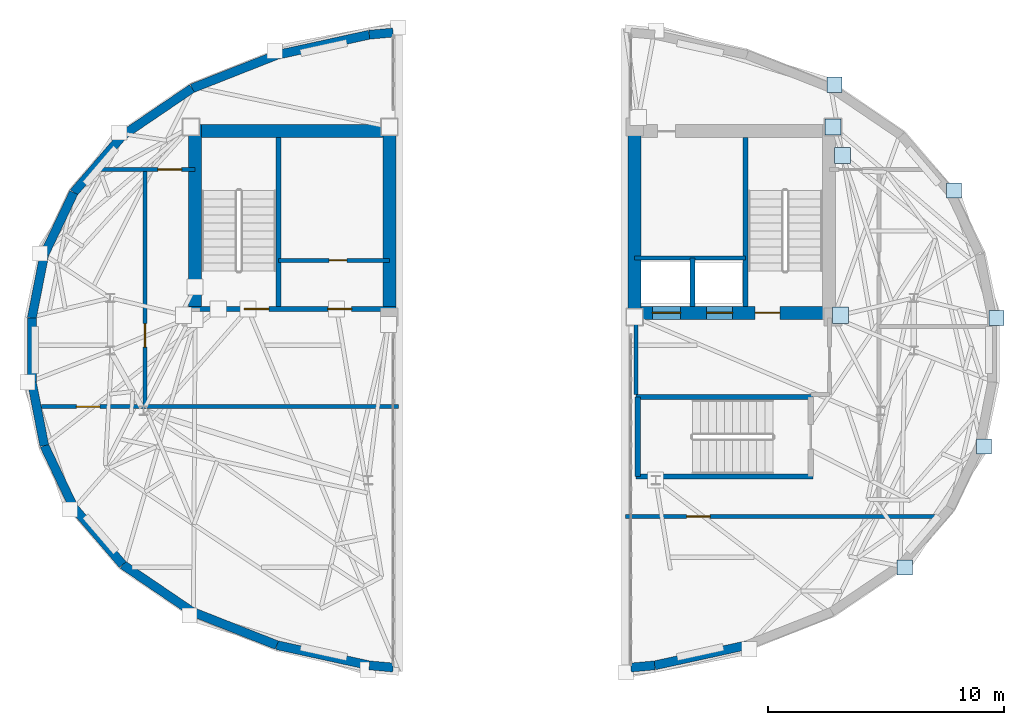
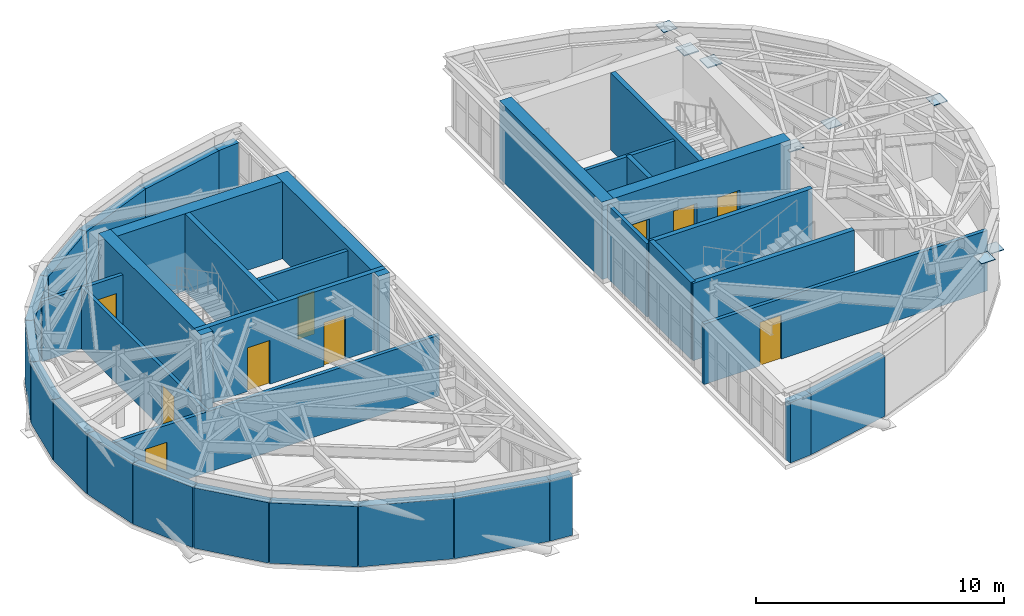
# One storey, part 9 of 13: 36 walls, 10 doors, 8 plates, 10 openings.
"""IFC4 building model written with IfcOpenShell, lengths in metres."""

import ifcopenshell
import ifcopenshell.guid

model = None  # the IFC model being written
_history = None  # IfcOwnerHistory: only IFC2X3 demands one
_inside = {}  # id of a spatial element -> (the spatial element, [elements in it])
_under = {}  # id of a project, library or spatial element -> (it, [spatial elements below it])
_declared = {}  # id of a project -> (the project, [libraries it declares])
_typed = {}  # id of a type object -> (the type object, [elements of that type])
_made_of = {}  # id of a material, layer set ... -> (it, [elements and type objects made of it])


def new_model(schema):
    """Start an empty IFC model of exactly this schema.

    Asked for "IFC4X3", IfcOpenShell would pick the latest addendum, in which some entities
    have other attributes; the version numbers below select the first issue.
    IFC2X3 requires an IfcOwnerHistory on every rooted entity: one is made here for all.
    """
    global model, _history
    if schema == "IFC4X3":
        model = ifcopenshell.file(schema_version=(4, 3, 0, 0))
    else:
        model = ifcopenshell.file(schema=schema)
    _inside.clear()
    _under.clear()
    _declared.clear()
    _typed.clear()
    _made_of.clear()
    _history = None
    if model.schema == "IFC2X3":
        org = make("IfcOrganization", Name="unknown")
        user = make(
            "IfcPersonAndOrganization",
            ThePerson=make("IfcPerson", FamilyName="unknown"),
            TheOrganization=org,
        )
        app = make(
            "IfcApplication",
            ApplicationDeveloper=org,
            Version="unknown",
            ApplicationFullName="unknown",
            ApplicationIdentifier="unknown",
        )
        _history = make(
            "IfcOwnerHistory",
            OwningUser=user,
            OwningApplication=app,
            ChangeAction="ADDED",
            CreationDate=0,
        )
    return model


def make(cls, **values):
    """One entity of the class cls with the attributes given. An attribute that is None is left unset."""
    return model.create_entity(
        cls, **{name: value for name, value in values.items() if value is not None}
    )


def rooted(cls, **values):
    """An entity with a GlobalId (a new one), such as an element, a storey or a relation."""
    return make(cls, GlobalId=ifcopenshell.guid.new(), OwnerHistory=_history, **values)


def si_unit(unit_type, name, prefix=None):
    """IfcSIUnit, for example si_unit("LENGTHUNIT", "METRE", prefix="MILLI")."""
    return make("IfcSIUnit", UnitType=unit_type, Prefix=prefix, Name=name)


def assignment(units):
    """IfcUnitAssignment: the units of a project."""
    return None if units is None else make("IfcUnitAssignment", Units=units)


def point(xyz):
    """IfcCartesianPoint."""
    return None if xyz is None else make("IfcCartesianPoint", Coordinates=xyz)


def direction(xyz):
    """IfcDirection."""
    return None if xyz is None else make("IfcDirection", DirectionRatios=xyz)


def frame(location, z_axis=None, x_axis=None):
    """IfcAxis2Placement3D, a coordinate frame: its origin and axes. An axis left out is left unset."""
    return make(
        "IfcAxis2Placement3D",
        Location=point(location),
        Axis=direction(z_axis),
        RefDirection=direction(x_axis),
    )


def frame_2d(location, x_axis=None):
    """IfcAxis2Placement2D, a coordinate frame in the plane: its origin and x axis."""
    return make(
        "IfcAxis2Placement2D", Location=point(location), RefDirection=direction(x_axis)
    )


def origin():
    """The frame at (0, 0, 0) with its axes left unset."""
    return frame((0.0, 0.0, 0.0))


def origin_2d():
    """The frame at (0, 0) in the plane with its x axis left unset."""
    return frame_2d((0.0, 0.0))


def place(relative_to, where):
    """IfcLocalPlacement: puts the frame where relative to a parent placement (None: the world)."""
    return make(
        "IfcLocalPlacement", PlacementRelTo=relative_to, RelativePlacement=where
    )


def context(
    kind, dimensions, precision=None, world=None, true_north=None, identifier=None
):
    """IfcGeometricRepresentationContext, for example the 3D "Model" context."""
    return make(
        "IfcGeometricRepresentationContext",
        ContextIdentifier=identifier,
        ContextType=kind,
        CoordinateSpaceDimension=dimensions,
        Precision=precision,
        WorldCoordinateSystem=world,
        TrueNorth=true_north,
    )


def subcontext(parent, identifier, kind, view, scale=None):
    """IfcGeometricRepresentationSubContext, for example "Body" below "Model"."""
    return make(
        "IfcGeometricRepresentationSubContext",
        ContextIdentifier=identifier,
        ContextType=kind,
        ParentContext=parent,
        TargetScale=scale,
        TargetView=view,
    )


def project(units=None, contexts=None):
    """IfcProject with its units and contexts."""
    return rooted(
        "IfcProject",
        Name="project",
        RepresentationContexts=contexts,
        UnitsInContext=assignment(units),
    )


def spatial(cls, under=None, at=None, **own):
    """A site, building, storey or space (cls), placed at a placement, below another one or the project."""
    s = rooted(cls, ObjectPlacement=at, **own)
    if under is not None:
        _under.setdefault(under.id(), (under, []))[1].append(s)
    return s


def profile(cls, at=None, kind="AREA", **sizes):
    """A parametric profile (cls). Its sizes go by their IFC names, for example OverallWidth=200.0."""
    return make(cls, ProfileType=kind, Position=at, **sizes)


def rectangle(**sizes):
    """IfcRectangleProfileDef."""
    return profile("IfcRectangleProfileDef", **sizes)


def extrude(swept, where, along, depth):
    """IfcExtrudedAreaSolid: the profile swept, set in the frame where, extruded along a direction by depth."""
    return make(
        "IfcExtrudedAreaSolid",
        SweptArea=swept,
        Position=where,
        ExtrudedDirection=direction(along),
        Depth=depth,
    )


def shape(context_of_items, identifier, shape_type, items):
    """IfcShapeRepresentation: the items that make up one representation, for example the "Body"."""
    return make(
        "IfcShapeRepresentation",
        ContextOfItems=context_of_items,
        RepresentationIdentifier=identifier,
        RepresentationType=shape_type,
        Items=items,
    )


def material(Name=None, Category=None):
    """IfcMaterial."""
    return make("IfcMaterial", Name=Name, Category=Category)


def layer(
    of_material, thickness, ventilated=None, Name=None, Category=None, Priority=None
):
    """IfcMaterialLayer: one layer of a wall or slab, of a material (None: an air gap)."""
    return make(
        "IfcMaterialLayer",
        Material=of_material,
        LayerThickness=thickness,
        IsVentilated=ventilated,
        Name=Name,
        Category=Category,
        Priority=Priority,
    )


def layer_set(layers, Name=None):
    """IfcMaterialLayerSet."""
    return make("IfcMaterialLayerSet", MaterialLayers=layers, LayerSetName=Name)


def made_of(thing, what):
    """Note that an element or type object is made of a material, layer set ...; save() writes the relation."""
    if what is not None:
        _made_of.setdefault(what.id(), (what, []))[1].append(thing)
    return thing


def type_object(cls, material=None, **own):
    """A type object (cls), such as IfcWallType, which elements share."""
    return made_of(rooted(cls, **own), material)


def element(
    cls,
    number,
    at=None,
    inside=None,
    cuts=None,
    type_object=None,
    material=None,
    context=None,
    identifier="Body",
    shape_type=None,
    held_by="IfcProductDefinitionShape",
    body=None,
    shapes=None,
    **own,
):
    """One element of the class cls, such as IfcWall. Its Tag is "e" and its number.

    at: its placement. inside: the storey or other place that contains it. cuts: it is an
    opening in that element (IfcRelVoidsElement). A single representation is given by context,
    identifier, shape_type and body (its items); several are given by shapes. held_by: the class
    of the entity that holds the representations. save() writes the other relations.
    """
    e = rooted(cls, Tag="e%d" % number, ObjectPlacement=at, **own)
    if body is not None:
        shapes = [shape(context, identifier, shape_type, body)]
    if shapes is not None:
        e.Representation = make(held_by, Representations=shapes)
    if inside is not None:
        _inside.setdefault(inside.id(), (inside, []))[1].append(e)
    if cuts is not None:
        rooted(
            "IfcRelVoidsElement", RelatingBuildingElement=cuts, RelatedOpeningElement=e
        )
    if type_object is not None:
        _typed.setdefault(type_object.id(), (type_object, []))[1].append(e)
    return made_of(e, material)


def fill(opening, filler):
    """IfcRelFillsElement: the door or window that sits in an opening."""
    return rooted(
        "IfcRelFillsElement",
        RelatingOpeningElement=opening,
        RelatedBuildingElement=filler,
    )


def aggregate(whole, parts):
    """IfcRelAggregates: a whole, such as a stair, and the parts it consists of."""
    return rooted("IfcRelAggregates", RelatingObject=whole, RelatedObjects=parts)


def save(model, path):
    """Write the relations noted so far, then the file.

    IfcRelAggregates (storeys below a building ...), IfcRelContainedInSpatialStructure (elements
    in a storey), IfcRelDefinesByType, IfcRelAssociatesMaterial and IfcRelDeclares: one each for
    every whole, place, type object, material and project.
    """
    for whole, parts in _under.values():
        aggregate(whole, parts)
    for where, things in _inside.values():
        rooted(
            "IfcRelContainedInSpatialStructure",
            RelatedElements=things,
            RelatingStructure=where,
        )
    for kind, things in _typed.values():
        rooted("IfcRelDefinesByType", RelatedObjects=things, RelatingType=kind)
    for what, things in _made_of.values():
        rooted("IfcRelAssociatesMaterial", RelatedObjects=things, RelatingMaterial=what)
    for by, libraries in _declared.values():
        rooted("IfcRelDeclares", RelatingContext=by, RelatedDefinitions=libraries)
    model.write(path)


model = new_model("IFC4")

# Units and contexts
model_context = context("Model", 3, precision=1e-05, world=origin(), true_north=direction((0.0, 1.0)))
body_context = subcontext(model_context, "Body", "Model", "MODEL_VIEW")
ifc_project = project(units=[si_unit("LENGTHUNIT", "METRE"), si_unit("AREAUNIT", "SQUARE_METRE"), si_unit("VOLUMEUNIT", "CUBIC_METRE"), si_unit("PLANEANGLEUNIT", "RADIAN"), si_unit("MASSUNIT", "GRAM", prefix="KILO")], contexts=[model_context])

# Site, building, storey
site_placement = place(None, origin())
site = spatial("IfcSite", under=ifc_project, at=site_placement, CompositionType="ELEMENT")
building_placement = place(site_placement, origin())
building = spatial("IfcBuilding", under=site, at=building_placement, Name="Keldmark Tower", CompositionType="ELEMENT")
storey_placement = place(building_placement, frame((0.0, 0.0, 273.0)))
storey = spatial("IfcBuildingStorey", under=building, at=storey_placement, Name="L77", CompositionType="ELEMENT", Elevation=273.0)

# Plates
ifc_material_1 = material(Name="Steel ASTM A572 Grade 50", Category="steel")
ifc_layer_1 = layer(ifc_material_1, 0.06005859375)
ifc_layer_set_1 = layer_set([ifc_layer_1], Name="Steel ASTM A572 Grade 50")
plate_type_1 = type_object("IfcPlateType", Name="Belt Truss Kink Node Assembly KN01 60 mm", PredefinedType="USERDEFINED", material=ifc_layer_set_1)
for number, where, z_axis, x_axis, name in (
    (1, (13.91162109375, 1.473388671875, 3.30810546875), (0.0, 0.0, 1.0), (1.0, 0.0, 0.0), "L77 Core Wall Cast-In Embed Plate 2202"),
    (2, (13.60009765625, 9.449951171875, 3.30810546875), (0.0, 0.0, 1.0), (1.0, 0.0, 0.0), "L77 Core Wall Cast-In Embed Plate 2206"),
    (3, (14.006103515625, 8.240478515625, 3.30810546875), (0.0, 0.0, 1.0), (1.0, 0.0, 0.0), "L77 Core Wall Cast-In Embed Plate 2207"),
):
    element("IfcPlate", number, at=place(storey_placement, frame(where, z_axis=z_axis, x_axis=x_axis)), inside=storey, type_object=plate_type_1, Name=name, ObjectType="CAP PLATE", PredefinedType="USERDEFINED", context=body_context, shape_type="SweptSolid", body=[
        extrude(rectangle(XDim=0.679931640625, YDim=0.679931640625, at=origin_2d()), origin(), (0.0, 0.0, 1.0), 0.054931640625),
    ])
ifc_material_2 = material(Name="Steel ASTM A572 Grade 50", Category="steel")
ifc_layer_2 = layer(ifc_material_2, 0.030029296875)
ifc_layer_set_2 = layer_set([ifc_layer_2], Name="Steel ASTM A572 Grade 50")
plate_type_2 = type_object("IfcPlateType", Name="Crown Frame End Cap Plate CP01 30 mm", PredefinedType="SHEET", material=ifc_layer_set_2)
for number, where, z_axis, x_axis, name in (
    (4, (13.6708984375, 11.23974609375, 3.3349609375), (0.0, 0.0, 1.0), (1.0, 0.0, 0.0), "L77 Crown Frame Node Cap E00-1"),
    (5, (18.736328125, 6.7578125, -0.46484375), (0.0, 0.0, 1.0), (1.0, 0.0, 0.0), "L77 Crown Frame Node Cap E04-0"),
    (6, (20.52685546875, 1.36328125, 3.3349609375), (0.0, 0.0, 1.0), (1.0, 0.0, 0.0), "L77 Crown Frame Node Cap E04-1"),
    (7, (19.99658203125, -4.092041015625, -0.46484375), (0.0, 0.0, 1.0), (1.0, 0.0, 0.0), "L77 Crown Frame Node Cap E08-0"),
    (8, (16.639404296875, -9.216064453125, 3.3349609375), (0.0, 0.0, 1.0), (1.0, 0.0, 0.0), "L77 Crown Frame Node Cap E08-1"),
):
    element("IfcPlate", number, at=place(storey_placement, frame(where, z_axis=z_axis, x_axis=x_axis)), inside=storey, type_object=plate_type_2, Name=name, PredefinedType="SHEET", context=body_context, shape_type="SweptSolid", body=[
        extrude(rectangle(XDim=0.639892578125, YDim=0.639892578125, at=origin_2d()), origin(), (0.0, 0.0, 1.0), 0.030029296875),
    ])

# Walls
ifc_material_3 = material(Name="Kasota Buff Limestone Ashlar Masonry", Category="masonry")
ifc_layer_3 = layer(ifc_material_3, 0.3798828125)
ifc_layer_set_3 = layer_set([ifc_layer_3], Name="Kasota Buff Limestone Ashlar Masonry")
wall_type_1 = type_object("IfcWallType", Name="Crown Kasota Limestone Screen Wall 380 mm", PredefinedType="ELEMENTEDWALL", material=ifc_layer_set_3)
wall_1_placement = place(storey_placement, frame((6.04443359375, -13.361328125, 0.0), z_axis=(0.0, 0.0, 1.0), x_axis=(0.97689207626, 0.213733177911, 0.0)))
element("IfcWall", 9, at=wall_1_placement, inside=storey, type_object=wall_type_1, Name="L77 Crown Limestone Enclosure Wall E13", PredefinedType="ELEMENTEDWALL", context=body_context, shape_type="SweptSolid", body=[
    extrude(rectangle(XDim=4.01171875, YDim=0.3798828125, at=frame_2d((2.005859375, 0.0))), origin(), (0.0, 0.0, 1.0), 2.969970703125),
])
wall_2_placement = place(storey_placement, frame((5.0400390625, -13.451904296875, 0.0), z_axis=(0.0, 0.0, 1.0), x_axis=(0.995958429341, 0.089815405271, 0.0)))
element("IfcWall", 10, at=wall_2_placement, inside=storey, type_object=wall_type_1, Name="L77 Crown Limestone Enclosure Wall E14", PredefinedType="ELEMENTEDWALL", context=body_context, shape_type="SweptSolid", body=[
    extrude(rectangle(XDim=1.008544921875, YDim=0.3798828125, at=frame_2d((0.50439453125, 0.0))), origin(), (0.0, 0.0, 1.0), 2.969970703125),
])
wall_3_placement = place(storey_placement, frame((-9.96337890625, -12.50390625, 0.0), z_axis=(0.0, 0.0, 1.0), x_axis=(0.97689207626, -0.213733177911, 0.0)))
element("IfcWall", 11, at=wall_3_placement, inside=storey, type_object=wall_type_1, Name="L77 Crown Limestone Enclosure Wall W01", PredefinedType="ELEMENTEDWALL", context=body_context, shape_type="SweptSolid", body=[
    extrude(rectangle(XDim=4.01171875, YDim=0.3798828125, at=frame_2d((2.005859375, 0.0))), origin(), (0.0, 0.0, 1.0), 2.969970703125),
])
wall_4_placement = place(storey_placement, frame((-13.55712890625, -11.086181640625, 0.0), z_axis=(0.0, 0.0, 1.0), x_axis=(0.930231308044, -0.366973723221, 0.0)))
element("IfcWall", 12, at=wall_4_placement, inside=storey, type_object=wall_type_1, Name="L77 Crown Limestone Enclosure Wall W02", PredefinedType="ELEMENTEDWALL", context=body_context, shape_type="SweptSolid", body=[
    extrude(rectangle(XDim=3.86328125, YDim=0.3798828125, at=frame_2d((1.931640625, 0.0))), origin(), (0.0, 0.0, 1.0), 2.969970703125),
])
wall_5_placement = place(storey_placement, frame((-16.49560546875, -9.0927734375, 0.0), z_axis=(0.0, 0.0, 1.0), x_axis=(0.827548787006, -0.561393805741, 0.0)))
element("IfcWall", 13, at=wall_5_placement, inside=storey, type_object=wall_type_1, Name="L77 Crown Limestone Enclosure Wall W03", PredefinedType="ELEMENTEDWALL", context=body_context, shape_type="SweptSolid", body=[
    extrude(rectangle(XDim=3.55078125, YDim=0.3798828125, at=frame_2d((1.775390625, 0.0))), origin(), (0.0, 0.0, 1.0), 2.969970703125),
])
wall_6_placement = place(storey_placement, frame((-18.568603515625, -6.674560546875, 0.0), z_axis=(0.0, 0.0, 1.0), x_axis=(0.650835558852, -0.759218726938, 0.0)))
element("IfcWall", 14, at=wall_6_placement, inside=storey, type_object=wall_type_1, Name="L77 Crown Limestone Enclosure Wall W04", PredefinedType="ELEMENTEDWALL", context=body_context, shape_type="SweptSolid", body=[
    extrude(rectangle(XDim=3.18505859375, YDim=0.3798828125, at=frame_2d((1.592529296875, 0.0))), origin(), (0.0, 0.0, 1.0), 2.969970703125),
])
wall_7_placement = place(storey_placement, frame((-19.81689453125, -4.04931640625, 0.0), z_axis=(0.0, 0.0, 1.0), x_axis=(0.429421676457, -0.903104104624, 0.0)))
element("IfcWall", 15, at=wall_7_placement, inside=storey, type_object=wall_type_1, Name="L77 Crown Limestone Enclosure Wall W05", PredefinedType="ELEMENTEDWALL", context=body_context, shape_type="SweptSolid", body=[
    extrude(rectangle(XDim=2.906982421875, YDim=0.3798828125, at=frame_2d((1.45361328125, 0.0))), origin(), (0.0, 0.0, 1.0), 2.969970703125),
])
wall_8_placement = place(storey_placement, frame((-20.345703125, -1.35205078125, 0.0), z_axis=(0.0, 0.0, 1.0), x_axis=(0.192390980569, -0.981318353337, 0.0)))
element("IfcWall", 16, at=wall_8_placement, inside=storey, type_object=wall_type_1, Name="L77 Crown Limestone Enclosure Wall W06", PredefinedType="ELEMENTEDWALL", context=body_context, shape_type="SweptSolid", body=[
    extrude(rectangle(XDim=2.74853515625, YDim=0.3798828125, at=frame_2d((1.374267578125, 0.0))), origin(), (0.0, 0.0, 1.0), 2.969970703125),
])
wall_9_placement = place(storey_placement, frame((-20.345703125, 1.35205078125, 0.0), z_axis=(0.0, 0.0, 1.0), x_axis=(0.0, -1.0, 0.0)))
element("IfcWall", 17, at=wall_9_placement, inside=storey, type_object=wall_type_1, Name="L77 Crown Limestone Enclosure Wall W07", PredefinedType="ELEMENTEDWALL", context=body_context, shape_type="SweptSolid", body=[
    extrude(rectangle(XDim=2.7041015625, YDim=0.3798828125, at=frame_2d((1.35205078125, 0.0))), origin(), (0.0, 0.0, 1.0), 2.969970703125),
])
wall_10_placement = place(storey_placement, frame((-19.81689453125, 4.04931640625, 0.0), z_axis=(0.0, 0.0, 1.0), x_axis=(-0.192390980569, -0.981318353337, 0.0)))
element("IfcWall", 18, at=wall_10_placement, inside=storey, type_object=wall_type_1, Name="L77 Crown Limestone Enclosure Wall W08", PredefinedType="ELEMENTEDWALL", context=body_context, shape_type="SweptSolid", body=[
    extrude(rectangle(XDim=2.74853515625, YDim=0.3798828125, at=frame_2d((1.374267578125, 0.0))), origin(), (0.0, 0.0, 1.0), 2.969970703125),
])
wall_11_placement = place(storey_placement, frame((-18.568603515625, 6.674560546875, 0.0), z_axis=(0.0, 0.0, 1.0), x_axis=(-0.429421676457, -0.903104104624, 0.0)))
element("IfcWall", 19, at=wall_11_placement, inside=storey, type_object=wall_type_1, Name="L77 Crown Limestone Enclosure Wall W09", PredefinedType="ELEMENTEDWALL", context=body_context, shape_type="SweptSolid", body=[
    extrude(rectangle(XDim=2.906982421875, YDim=0.3798828125, at=frame_2d((1.45361328125, 0.0))), origin(), (0.0, 0.0, 1.0), 2.969970703125),
])
wall_12_placement = place(storey_placement, frame((-16.49560546875, 9.0927734375, 0.0), z_axis=(0.0, 0.0, 1.0), x_axis=(-0.650835558852, -0.759218726938, 0.0)))
element("IfcWall", 20, at=wall_12_placement, inside=storey, type_object=wall_type_1, Name="L77 Crown Limestone Enclosure Wall W10", PredefinedType="ELEMENTEDWALL", context=body_context, shape_type="SweptSolid", body=[
    extrude(rectangle(XDim=3.18505859375, YDim=0.3798828125, at=frame_2d((1.592529296875, 0.0))), origin(), (0.0, 0.0, 1.0), 2.969970703125),
])
wall_13_placement = place(storey_placement, frame((-13.55712890625, 11.086181640625, 0.0), z_axis=(0.0, 0.0, 1.0), x_axis=(-0.827548787006, -0.561393805741, 0.0)))
element("IfcWall", 21, at=wall_13_placement, inside=storey, type_object=wall_type_1, Name="L77 Crown Limestone Enclosure Wall W11", PredefinedType="ELEMENTEDWALL", context=body_context, shape_type="SweptSolid", body=[
    extrude(rectangle(XDim=3.55078125, YDim=0.3798828125, at=frame_2d((1.775390625, 0.0))), origin(), (0.0, 0.0, 1.0), 2.969970703125),
])
wall_14_placement = place(storey_placement, frame((-9.96337890625, 12.50390625, 0.0), z_axis=(0.0, 0.0, 1.0), x_axis=(-0.930231308044, -0.366973723221, 0.0)))
element("IfcWall", 22, at=wall_14_placement, inside=storey, type_object=wall_type_1, Name="L77 Crown Limestone Enclosure Wall W12", PredefinedType="ELEMENTEDWALL", context=body_context, shape_type="SweptSolid", body=[
    extrude(rectangle(XDim=3.86328125, YDim=0.3798828125, at=frame_2d((1.931640625, 0.0))), origin(), (0.0, 0.0, 1.0), 2.969970703125),
])
wall_15_placement = place(storey_placement, frame((-6.04443359375, 13.361328125, 0.0), z_axis=(0.0, 0.0, 1.0), x_axis=(-0.97689207626, -0.213733177911, 0.0)))
element("IfcWall", 23, at=wall_15_placement, inside=storey, type_object=wall_type_1, Name="L77 Crown Limestone Enclosure Wall W13", PredefinedType="ELEMENTEDWALL", context=body_context, shape_type="SweptSolid", body=[
    extrude(rectangle(XDim=4.01171875, YDim=0.3798828125, at=frame_2d((2.005859375, 0.0))), origin(), (0.0, 0.0, 1.0), 2.969970703125),
])
for number, where, z_axis, x_axis, name in (
    (24, (-5.0400390625, 13.451904296875, 0.0), (0.0, 0.0, 1.0), (-0.995958429341, -0.089815405271, 0.0), "L77 Crown Limestone Enclosure Wall W14"),
    (25, (-6.04443359375, -13.361328125, 0.0), (0.0, 0.0, 1.0), (0.995958429341, -0.089815405271, 0.0), "L77 Crown Limestone Enclosure Wall W16"),
):
    element("IfcWall", number, at=place(storey_placement, frame(where, z_axis=z_axis, x_axis=x_axis)), inside=storey, type_object=wall_type_1, Name=name, PredefinedType="ELEMENTEDWALL", context=body_context, shape_type="SweptSolid", body=[
        extrude(rectangle(XDim=1.008544921875, YDim=0.3798828125, at=frame_2d((0.50439453125, 0.0))), origin(), (0.0, 0.0, 1.0), 2.969970703125),
    ])
ifc_material_4 = material(Name="Concrete C50/60", Category="concrete")
ifc_layer_4 = layer(ifc_material_4, 0.550048828125)
ifc_layer_set_4 = layer_set([ifc_layer_4], Name="Concrete C50/60")
wall_type_2 = type_object("IfcWallType", Name="High-Rise Core Shear Wall 550 mm", PredefinedType="SHEAR", material=ifc_layer_set_4)
wall_16_placement = place(storey_placement, frame((-13.425048828125, 1.300048828125, 0.0), z_axis=(0.0, 0.0, 1.0), x_axis=(0.0, 1.0, 0.0)))
element("IfcWall", 26, at=wall_16_placement, inside=storey, type_object=wall_type_2, Name="L77 West Crown Core West Wall", PredefinedType="SHEAR", context=body_context, shape_type="SweptSolid", body=[
    extrude(rectangle(XDim=8.25, YDim=0.550048828125, at=frame_2d((4.125, 0.0))), origin(), (0.0, 0.0, 1.0), 3.800048828125),
])
wall_17_placement = place(storey_placement, frame((-13.699951171875, 9.27490234375, 0.0), z_axis=(0.0, 0.0, 1.0), x_axis=(1.0, 0.0, 0.0)))
element("IfcWall", 27, at=wall_17_placement, inside=storey, type_object=wall_type_2, Name="L77 West Crown Core North Wall", PredefinedType="SHEAR", context=body_context, shape_type="SweptSolid", body=[
    extrude(rectangle(XDim=8.77490234375, YDim=0.550048828125, at=frame_2d((4.387451171875, 0.0))), origin(), (0.0, 0.0, 1.0), 3.800048828125),
])
wall_18_placement = place(storey_placement, frame((-5.199951171875, 1.300048828125, 0.0), z_axis=(0.0, 0.0, 1.0), x_axis=(0.0, 1.0, 0.0)))
element("IfcWall", 28, at=wall_18_placement, inside=storey, type_object=wall_type_2, Name="L77 West Crown Core Slot Wall", PredefinedType="SHEAR", context=body_context, shape_type="SweptSolid", body=[
    extrude(rectangle(XDim=8.25, YDim=0.550048828125, at=frame_2d((4.125, 0.0))), origin(), (0.0, 0.0, 1.0), 3.800048828125),
])

# Wall, openings, doors
wall_19_placement = place(storey_placement, frame((13.699951171875, 1.574951171875, 0.0), z_axis=(0.0, 0.0, 1.0), x_axis=(-1.0, 0.0, 0.0)))
wall_19 = element("IfcWall", 29, at=wall_19_placement, inside=storey, type_object=wall_type_2, Name="L77 East Crown Core South Wall", PredefinedType="SHEAR", context=body_context, shape_type="SweptSolid", body=[
    extrude(rectangle(XDim=8.77490234375, YDim=0.550048828125, at=frame_2d((4.387451171875, 0.0))), origin(), (0.0, 0.0, 1.0), 3.800048828125),
])
opening_1_placement = place(wall_19_placement, frame((2.35009765625, 0.0, 0.0)))
opening_1 = element("IfcOpeningElement", 30, at=opening_1_placement, cuts=wall_19, Name="Opening D-ST105", PredefinedType="OPENING", context=body_context, shape_type="SweptSolid", body=[
    extrude(rectangle(XDim=1.050048828125, YDim=2.14990234375, at=frame_2d((0.52490234375, 1.074951171875))), frame((0.0, 0.284912109375, 0.0), z_axis=(0.0, -1.0, 0.0), x_axis=(1.0, 0.0, 0.0)), (0.0, 0.0, 1.0), 0.570068359375),
])
opening_2_placement = place(wall_19_placement, frame((6.550048828125, 0.0, 0.0)))
opening_2 = element("IfcOpeningElement", 31, at=opening_2_placement, cuts=wall_19, Name="Opening LD-120", PredefinedType="OPENING", context=body_context, shape_type="SweptSolid", body=[
    extrude(rectangle(XDim=1.199951171875, YDim=2.199951171875, at=frame_2d((0.60009765625, 1.10009765625))), frame((0.0, 0.284912109375, 0.0), z_axis=(0.0, -1.0, 0.0), x_axis=(1.0, 0.0, 0.0)), (0.0, 0.0, 1.0), 0.570068359375),
])
opening_3_placement = place(wall_19_placement, frame((4.35009765625, 0.0, 0.0)))
opening_3 = element("IfcOpeningElement", 32, at=opening_3_placement, cuts=wall_19, Name="Opening LD-110", PredefinedType="OPENING", context=body_context, shape_type="SweptSolid", body=[
    extrude(rectangle(XDim=1.10009765625, YDim=2.199951171875, at=frame_2d((0.550048828125, 1.10009765625))), frame((0.0, 0.284912109375, 0.0), z_axis=(0.0, -1.0, 0.0), x_axis=(1.0, 0.0, 0.0)), (0.0, 0.0, 1.0), 0.570068359375),
])
ifc_material_5 = material(Name="Brushed Bronze Hoistway Sliding Leaf", Category="metal")
door_type_1 = type_object("IfcDoorType", Name="Lift Landing Sliding Door 1100x2200", OperationType="SLIDING_TO_LEFT", PredefinedType="DOOR", material=ifc_material_5)
door_1_placement = place(opening_3_placement, origin())
door_1 = element("IfcDoor", 33, at=door_1_placement, inside=storey, type_object=door_type_1, Name="L77 Lift Landing Sliding Door 1100x2200 LD-EL-FS2-L77", OperationType="SLIDING_TO_LEFT", OverallHeight=2.199951171875, OverallWidth=1.10009765625, PredefinedType="DOOR", context=body_context, shape_type="SweptSolid", body=[
    extrude(rectangle(XDim=1.10009765625, YDim=2.199951171875, at=frame_2d((0.550048828125, 1.10009765625))), frame((0.0, 0.02490234375, 0.0), z_axis=(0.0, -1.0, 0.0), x_axis=(1.0, 0.0, 0.0)), (0.0, 0.0, 1.0), 0.050048828125),
])
fill(opening_3, door_1)
ifc_material_6 = material(Name="Heavy-Duty Brushed Metal Hoistway Sliding Leaf", Category="metal")
door_type_2 = type_object("IfcDoorType", Name="Service Lift Sliding Door 1200x2200", OperationType="SLIDING_TO_RIGHT", PredefinedType="DOOR", material=ifc_material_6)
door_2_placement = place(opening_2_placement, origin())
door_2 = element("IfcDoor", 34, at=door_2_placement, inside=storey, type_object=door_type_2, Name="L77 Service Lift Sliding Door 1200x2200 LD-EL-SV1-L77", OperationType="SLIDING_TO_RIGHT", OverallHeight=2.199951171875, OverallWidth=1.199951171875, PredefinedType="DOOR", context=body_context, shape_type="SweptSolid", body=[
    extrude(rectangle(XDim=1.199951171875, YDim=2.199951171875, at=frame_2d((0.60009765625, 1.10009765625))), frame((0.0, 0.02490234375, 0.0), z_axis=(0.0, -1.0, 0.0), x_axis=(1.0, 0.0, 0.0)), (0.0, 0.0, 1.0), 0.050048828125),
])
fill(opening_2, door_2)
ifc_material_7 = material(Name="Hollow Metal Fire-Rated Door Assembly", Category="metal")
door_type_3 = type_object("IfcDoorType", Name="Stair Fire Door 1050x2150", OperationType="NOTDEFINED", PredefinedType="DOOR", material=ifc_material_7)
door_3_placement = place(opening_1_placement, origin())
door_3 = element("IfcDoor", 35, at=door_3_placement, inside=storey, type_object=door_type_3, Name="L77 Stair Fire Door 1050x2150 D-ST2-L77", OperationType="SINGLE_SWING_LEFT", OverallHeight=2.14990234375, OverallWidth=1.050048828125, PredefinedType="DOOR", context=body_context, shape_type="SweptSolid", body=[
    extrude(rectangle(XDim=1.050048828125, YDim=2.14990234375, at=frame_2d((0.52490234375, 1.074951171875))), frame((0.0, 0.02490234375, 0.0), z_axis=(0.0, -1.0, 0.0), x_axis=(1.0, 0.0, 0.0)), (0.0, 0.0, 1.0), 0.050048828125),
])
fill(opening_1, door_3)

# Wall
wall_20_placement = place(storey_placement, frame((5.199951171875, 1.300048828125, 0.0), z_axis=(0.0, 0.0, 1.0), x_axis=(0.0, 1.0, 0.0)))
element("IfcWall", 36, at=wall_20_placement, inside=storey, type_object=wall_type_2, Name="L77 East Crown Core Slot Wall", PredefinedType="SHEAR", context=body_context, shape_type="SweptSolid", body=[
    extrude(rectangle(XDim=8.25, YDim=0.550048828125, at=frame_2d((4.125, 0.0))), origin(), (0.0, 0.0, 1.0), 3.800048828125),
])

# Wall, opening, door
ifc_material_8 = material(Name="Type X Fire-Rated Gypsum Partition Assembly", Category="gypsum")
ifc_layer_5 = layer(ifc_material_8, 0.1650390625)
ifc_layer_set_5 = layer_set([ifc_layer_5], Name="Type X Fire-Rated Gypsum Partition Assembly")
wall_type_3 = type_object("IfcWallType", Name="Rated Partition 165 mm", PredefinedType="PARTITIONING", material=ifc_layer_set_5)
wall_21_placement = place(storey_placement, frame((-5.199951171875, 3.800048828125, 0.0), z_axis=(0.0, 0.0, 1.0), x_axis=(-1.0, 0.0, 0.0)))
wall_21 = element("IfcWall", 37, at=wall_21_placement, inside=storey, type_object=wall_type_3, Name="L77 Rated Partition 165 mm WC-LOB-E", PredefinedType="PARTITIONING", context=body_context, shape_type="SweptSolid", body=[
    extrude(rectangle(XDim=4.68994140625, YDim=0.1650390625, at=frame_2d((2.344970703125, 0.0))), origin(), (0.0, 0.0, 1.0), 3.60009765625),
])
opening_4_placement = place(wall_21_placement, frame((1.800048828125, 0.0, 0.0)))
opening_4 = element("IfcOpeningElement", 38, at=opening_4_placement, cuts=wall_21, Name="Opening D-RS075", PredefinedType="OPENING", context=body_context, shape_type="SweptSolid", body=[
    extrude(rectangle(XDim=0.75, YDim=2.10009765625, at=frame_2d((0.375, 1.050048828125))), frame((0.0, 0.092529296875, 0.0), z_axis=(0.0, -1.0, 0.0), x_axis=(1.0, 0.0, 0.0)), (0.0, 0.0, 1.0), 0.18505859375),
])
ifc_material_9 = material(Name="Galvanized Fire-Rated Access Leaf", Category="metal")
door_type_4 = type_object("IfcDoorType", Name="Riser Access Door 750x2100", OperationType="NOTDEFINED", PredefinedType="DOOR", material=ifc_material_9)
door_4_placement = place(opening_4_placement, origin())
door_4 = element("IfcDoor", 39, at=door_4_placement, inside=storey, type_object=door_type_4, Name="L77 Riser Access Door 750x2100 D-WC-RIS-L77", OperationType="SINGLE_SWING_RIGHT", OverallHeight=2.10009765625, OverallWidth=0.75, PredefinedType="DOOR", context=body_context, shape_type="SweptSolid", body=[
    extrude(rectangle(XDim=0.75, YDim=2.10009765625, at=frame_2d((0.375, 1.050048828125))), frame((0.0, 0.02490234375, 0.0), z_axis=(0.0, -1.0, 0.0), x_axis=(1.0, 0.0, 0.0)), (0.0, 0.0, 1.0), 0.050048828125),
])
fill(opening_4, door_4)

# Walls
wall_22_placement = place(storey_placement, frame((5.199951171875, 3.89990234375, 0.0), z_axis=(0.0, 0.0, 1.0), x_axis=(1.0, 0.0, 0.0)))
element("IfcWall", 40, at=wall_22_placement, inside=storey, type_object=wall_type_3, Name="L77 Rated Partition 165 mm EC-SV-N", PredefinedType="PARTITIONING", context=body_context, shape_type="SweptSolid", body=[
    extrude(rectangle(XDim=4.68994140625, YDim=0.1650390625, at=frame_2d((2.344970703125, 0.0))), origin(), (0.0, 0.0, 1.0), 3.60009765625),
])
wall_23_placement = place(storey_placement, frame((5.260009765625, -1.8798828125, 0.0), z_axis=(0.0, 0.0, 1.0), x_axis=(0.0, 1.0, 0.0)))
element("IfcWall", 41, at=wall_23_placement, inside=storey, type_object=wall_type_3, Name="L77 Rated Partition 165 mm EC-FSAE-W", PredefinedType="PARTITIONING", context=body_context, shape_type="SweptSolid", body=[
    extrude(rectangle(XDim=3.22998046875, YDim=0.1650390625, at=frame_2d((1.614990234375, 0.0))), origin(), (0.0, 0.0, 1.0), 3.60009765625),
])

# Wall, opening, door
wall_24_placement = place(storey_placement, frame((4.800048828125, -7.050048828125, 0.0), z_axis=(0.0, 0.0, 1.0), x_axis=(1.0, 0.0, 0.0)))
wall_24 = element("IfcWall", 42, at=wall_24_placement, inside=storey, type_object=wall_type_3, Name="L77 Rated Partition 165 mm EC-SCOR-S", PredefinedType="PARTITIONING", context=body_context, shape_type="SweptSolid", body=[
    extrude(rectangle(XDim=13.185791015625, YDim=0.1650390625, at=frame_2d((6.5927734375, 0.0))), origin(), (0.0, 0.0, 1.0), 2.968017578125),
])
opening_5_placement = place(wall_24_placement, frame((2.60009765625, 0.0, 0.0)))
opening_5 = element("IfcOpeningElement", 43, at=opening_5_placement, cuts=wall_24, Name="Opening D-FD100", PredefinedType="OPENING", context=body_context, shape_type="SweptSolid", body=[
    extrude(rectangle(XDim=1.0, YDim=2.14990234375, at=frame_2d((0.5, 1.074951171875))), frame((0.0, 0.092529296875, 0.0), z_axis=(0.0, -1.0, 0.0), x_axis=(1.0, 0.0, 0.0)), (0.0, 0.0, 1.0), 0.18505859375),
])
ifc_material_10 = material(Name="Hollow Metal Fire-Rated Corridor Door", Category="metal")
door_type_5 = type_object("IfcDoorType", Name="Fire Door 1000x2150", OperationType="NOTDEFINED", PredefinedType="DOOR", material=ifc_material_10)
door_5_placement = place(opening_5_placement, origin())
door_5 = element("IfcDoor", 44, at=door_5_placement, inside=storey, type_object=door_type_5, Name="L77 Fire Door 1000x2150 D-ECPS-L77", OperationType="SINGLE_SWING_RIGHT", OverallHeight=2.14990234375, OverallWidth=1.0, PredefinedType="DOOR", context=body_context, shape_type="SweptSolid", body=[
    extrude(rectangle(XDim=1.0, YDim=2.14990234375, at=frame_2d((0.5, 1.074951171875))), frame((0.0, 0.02490234375, 0.0), z_axis=(0.0, -1.0, 0.0), x_axis=(1.0, 0.0, 0.0)), (0.0, 0.0, 1.0), 0.050048828125),
])
fill(opening_5, door_5)

wall_25_placement = place(storey_placement, frame((-19.9384765625, -2.39990234375, 0.0), z_axis=(0.0, 0.0, 1.0), x_axis=(1.0, 0.0, 0.0)))
wall_25 = element("IfcWall", 45, at=wall_25_placement, inside=storey, type_object=wall_type_3, Name="L77 Rated Partition 165 mm WC-SCOR", PredefinedType="PARTITIONING", context=body_context, shape_type="SweptSolid", body=[
    extrude(rectangle(XDim=15.138427734375, YDim=0.1650390625, at=frame_2d((7.5693359375, 0.0))), origin(), (0.0, 0.0, 1.0), 2.987060546875),
])
opening_6_placement = place(wall_25_placement, frame((1.4794921875, 0.0, 0.0)))
opening_6 = element("IfcOpeningElement", 46, at=opening_6_placement, cuts=wall_25, Name="Opening D-FD100", PredefinedType="OPENING", context=body_context, shape_type="SweptSolid", body=[
    extrude(rectangle(XDim=1.0, YDim=2.14990234375, at=frame_2d((0.5, 1.074951171875))), frame((0.0, 0.092529296875, 0.0), z_axis=(0.0, -1.0, 0.0), x_axis=(1.0, 0.0, 0.0)), (0.0, 0.0, 1.0), 0.18505859375),
])
door_6_placement = place(opening_6_placement, origin())
door_6 = element("IfcDoor", 47, at=door_6_placement, inside=storey, type_object=door_type_5, Name="L77 Fire Door 1000x2150 D-WCPS-L77", OperationType="SINGLE_SWING_LEFT", OverallHeight=2.14990234375, OverallWidth=1.0, PredefinedType="DOOR", context=body_context, shape_type="SweptSolid", body=[
    extrude(rectangle(XDim=1.0, YDim=2.14990234375, at=frame_2d((0.5, 1.074951171875))), frame((0.0, 0.02490234375, 0.0), z_axis=(0.0, -1.0, 0.0), x_axis=(1.0, 0.0, 0.0)), (0.0, 0.0, 1.0), 0.050048828125),
])
fill(opening_6, door_6)

wall_26_placement = place(storey_placement, frame((-15.550048828125, -2.39990234375, 0.0), z_axis=(0.0, 0.0, 1.0), x_axis=(0.0, 1.0, 0.0)))
wall_26 = element("IfcWall", 48, at=wall_26_placement, inside=storey, type_object=wall_type_3, Name="L77 Rated Partition 165 mm WC-WCOR", PredefinedType="PARTITIONING", context=body_context, shape_type="SweptSolid", body=[
    extrude(rectangle(XDim=10.0498046875, YDim=0.1650390625, at=frame_2d((5.02490234375, 0.0))), origin(), (0.0, 0.0, 1.0), 2.987060546875),
])
opening_7_placement = place(wall_26_placement, frame((2.52001953125, 0.0, 0.0)))
opening_7 = element("IfcOpeningElement", 49, at=opening_7_placement, cuts=wall_26, Name="Opening D-FD100", PredefinedType="OPENING", context=body_context, shape_type="SweptSolid", body=[
    extrude(rectangle(XDim=1.0, YDim=2.14990234375, at=frame_2d((0.5, 1.074951171875))), frame((0.0, 0.092529296875, 0.0), z_axis=(0.0, -1.0, 0.0), x_axis=(1.0, 0.0, 0.0)), (0.0, 0.0, 1.0), 0.18505859375),
])
door_7_placement = place(opening_7_placement, origin())
door_7 = element("IfcDoor", 50, at=door_7_placement, inside=storey, type_object=door_type_5, Name="L77 Fire Door 1000x2150 D-WCPW-L77", OperationType="SINGLE_SWING_RIGHT", OverallHeight=2.14990234375, OverallWidth=1.0, PredefinedType="DOOR", context=body_context, shape_type="SweptSolid", body=[
    extrude(rectangle(XDim=1.0, YDim=2.14990234375, at=frame_2d((0.5, 1.074951171875))), frame((0.0, 0.02490234375, 0.0), z_axis=(0.0, -1.0, 0.0), x_axis=(1.0, 0.0, 0.0)), (0.0, 0.0, 1.0), 0.050048828125),
])
fill(opening_7, door_7)

wall_27_placement = place(storey_placement, frame((-17.4716796875, 7.64990234375, 0.0), z_axis=(0.0, 0.0, 1.0), x_axis=(1.0, 0.0, 0.0)))
wall_27 = element("IfcWall", 51, at=wall_27_placement, inside=storey, type_object=wall_type_3, Name="L77 Rated Partition 165 mm WC-NCAP", PredefinedType="PARTITIONING", context=body_context, shape_type="SweptSolid", body=[
    extrude(rectangle(XDim=4.046630859375, YDim=0.1650390625, at=frame_2d((2.0234375, 0.0))), origin(), (0.0, 0.0, 1.0), 2.968017578125),
])
opening_8_placement = place(wall_27_placement, frame((2.47119140625, 0.0, 0.0)))
opening_8 = element("IfcOpeningElement", 52, at=opening_8_placement, cuts=wall_27, Name="Opening D-FD100", PredefinedType="OPENING", context=body_context, shape_type="SweptSolid", body=[
    extrude(rectangle(XDim=1.0, YDim=2.14990234375, at=frame_2d((0.5, 1.074951171875))), frame((0.0, 0.092529296875, 0.0), z_axis=(0.0, -1.0, 0.0), x_axis=(1.0, 0.0, 0.0)), (0.0, 0.0, 1.0), 0.18505859375),
])
door_8_placement = place(opening_8_placement, origin())
door_8 = element("IfcDoor", 53, at=door_8_placement, inside=storey, type_object=door_type_5, Name="L77 Fire Door 1000x2150 D-WCPN-L77", OperationType="SINGLE_SWING_LEFT", OverallHeight=2.14990234375, OverallWidth=1.0, PredefinedType="DOOR", context=body_context, shape_type="SweptSolid", body=[
    extrude(rectangle(XDim=1.0, YDim=2.14990234375, at=frame_2d((0.5, 1.074951171875))), frame((0.0, 0.02490234375, 0.0), z_axis=(0.0, -1.0, 0.0), x_axis=(1.0, 0.0, 0.0)), (0.0, 0.0, 1.0), 0.050048828125),
])
fill(opening_8, door_8)

# Wall
ifc_material_11 = material(Name="Fire-Resistant Type X Gypsum Shaftliner Coreboard", Category="gypsum")
ifc_layer_6 = layer(ifc_material_11, 0.199951171875)
ifc_layer_set_6 = layer_set([ifc_layer_6], Name="Fire-Resistant Type X Gypsum Shaftliner Coreboard")
wall_type_4 = type_object("IfcWallType", Name="Shaft Wall 200 mm", PredefinedType="SOLIDWALL", material=ifc_layer_set_6)
wall_28_placement = place(storey_placement, frame((7.64990234375, 1.85009765625, 0.0), z_axis=(0.0, 0.0, 1.0), x_axis=(0.0, 1.0, 0.0)))
element("IfcWall", 54, at=wall_28_placement, inside=storey, type_object=wall_type_4, Name="L77 Shaft Wall 200 mm EC-DIV", PredefinedType="SOLIDWALL", context=body_context, shape_type="SweptSolid", body=[
    extrude(rectangle(XDim=2.0498046875, YDim=0.199951171875, at=frame_2d((1.02490234375, 0.0))), origin(), (0.0, 0.0, 1.0), 3.60009765625),
])

# Wall, openings, doors
ifc_material_12 = material(Name="Concrete C50/60", Category="concrete")
ifc_layer_7 = layer(ifc_material_12, 0.219970703125)
ifc_layer_set_7 = layer_set([ifc_layer_7], Name="Concrete C50/60")
wall_type_5 = type_object("IfcWallType", Name="Stair Core Shear Wall 220 mm", PredefinedType="SHEAR", material=ifc_layer_set_7)
wall_29_placement = place(storey_placement, frame((-4.925048828125, 1.739990234375, 0.0), z_axis=(0.0, 0.0, 1.0), x_axis=(-1.0, 0.0, 0.0)))
wall_29 = element("IfcWall", 55, at=wall_29_placement, inside=storey, type_object=wall_type_5, Name="L77 West Crown Core South Wall", PredefinedType="SHEAR", context=body_context, shape_type="SweptSolid", body=[
    extrude(rectangle(XDim=8.77490234375, YDim=0.219970703125, at=frame_2d((4.387451171875, 0.0))), origin(), (0.0, 0.0, 1.0), 3.800048828125),
])
opening_9_placement = place(wall_29_placement, frame((5.375, 0.0, 0.0)))
opening_9 = element("IfcOpeningElement", 56, at=opening_9_placement, cuts=wall_29, Name="Opening D-ST105", PredefinedType="OPENING", context=body_context, shape_type="SweptSolid", body=[
    extrude(rectangle(XDim=1.050048828125, YDim=2.14990234375, at=frame_2d((0.52490234375, 1.074951171875))), frame((0.0, 0.119873046875, 0.0), z_axis=(0.0, -1.0, 0.0), x_axis=(1.0, 0.0, 0.0)), (0.0, 0.0, 1.0), 0.239990234375),
])
opening_10_placement = place(wall_29_placement, frame((1.875, 0.0, 0.0)))
opening_10 = element("IfcOpeningElement", 57, at=opening_10_placement, cuts=wall_29, Name="Opening D-FD100", PredefinedType="OPENING", context=body_context, shape_type="SweptSolid", body=[
    extrude(rectangle(XDim=1.0, YDim=2.14990234375, at=frame_2d((0.5, 1.074951171875))), frame((0.0, 0.119873046875, 0.0), z_axis=(0.0, -1.0, 0.0), x_axis=(1.0, 0.0, 0.0)), (0.0, 0.0, 1.0), 0.239990234375),
])
door_9_placement = place(opening_10_placement, origin())
door_9 = element("IfcDoor", 58, at=door_9_placement, inside=storey, type_object=door_type_5, Name="L77 Fire Door 1000x2150 D-WC-LOB-L77", OperationType="SINGLE_SWING_LEFT", OverallHeight=2.14990234375, OverallWidth=1.0, PredefinedType="DOOR", context=body_context, shape_type="SweptSolid", body=[
    extrude(rectangle(XDim=1.0, YDim=2.14990234375, at=frame_2d((0.5, 1.074951171875))), frame((0.0, 0.02490234375, 0.0), z_axis=(0.0, -1.0, 0.0), x_axis=(1.0, 0.0, 0.0)), (0.0, 0.0, 1.0), 0.050048828125),
])
fill(opening_10, door_9)
door_10_placement = place(opening_9_placement, origin())
door_10 = element("IfcDoor", 59, at=door_10_placement, inside=storey, type_object=door_type_3, Name="L77 Stair Fire Door 1050x2150 D-ST1-L77", OperationType="SINGLE_SWING_RIGHT", OverallHeight=2.14990234375, OverallWidth=1.050048828125, PredefinedType="DOOR", context=body_context, shape_type="SweptSolid", body=[
    extrude(rectangle(XDim=1.050048828125, YDim=2.14990234375, at=frame_2d((0.52490234375, 1.074951171875))), frame((0.0, 0.02490234375, 0.0), z_axis=(0.0, -1.0, 0.0), x_axis=(1.0, 0.0, 0.0)), (0.0, 0.0, 1.0), 0.050048828125),
])
fill(opening_9, door_10)

# Walls
for number, where, z_axis, x_axis, name in (
    (60, (-9.889892578125, 1.85009765625, 0.0), (0.0, 0.0, 1.0), (0.0, 1.0, 0.0), "L77 West Stair Core Shear Wall"),
    (61, (9.889892578125, 1.85009765625, 0.0), (0.0, 0.0, 1.0), (0.0, 1.0, 0.0), "L77 East Stair Core Shear Wall"),
):
    element("IfcWall", number, at=place(storey_placement, frame(where, z_axis=z_axis, x_axis=x_axis)), inside=storey, type_object=wall_type_5, Name=name, PredefinedType="SHEAR", context=body_context, shape_type="SweptSolid", body=[
        extrude(rectangle(XDim=7.14990234375, YDim=0.219970703125, at=frame_2d((3.574951171875, 0.0))), origin(), (0.0, 0.0, 1.0), 3.800048828125),
    ])
for number, where, z_axis, x_axis, name in (
    (62, (5.260009765625, -1.989990234375, 0.0), (0.0, 0.0, 1.0), (1.0, 0.0, 0.0), "L77 East Crown Stair ST4 North Wall"),
    (63, (5.260009765625, -5.360107421875, 0.0), (0.0, 0.0, 1.0), (1.0, 0.0, 0.0), "L77 East Crown Stair ST4 South Wall"),
):
    element("IfcWall", number, at=place(storey_placement, frame(where, z_axis=z_axis, x_axis=x_axis)), inside=storey, type_object=wall_type_5, Name=name, PredefinedType="SHEAR", context=body_context, shape_type="SweptSolid", body=[
        extrude(rectangle(XDim=7.5, YDim=0.219970703125, at=frame_2d((3.75, 0.0))), origin(), (0.0, 0.0, 1.0), 3.800048828125),
    ])
wall_30_placement = place(storey_placement, frame((5.330078125, -5.360107421875, 0.0), z_axis=(0.0, 0.0, 1.0), x_axis=(0.0, 1.0, 0.0)))
element("IfcWall", 64, at=wall_30_placement, inside=storey, type_object=wall_type_5, Name="L77 East Crown Stair ST4 West Wall", PredefinedType="SHEAR", context=body_context, shape_type="SweptSolid", body=[
    extrude(rectangle(XDim=3.3701171875, YDim=0.219970703125, at=frame_2d((1.68505859375, 0.0))), origin(), (0.0, 0.0, 1.0), 3.800048828125),
])

save(model, "model.ifc")
